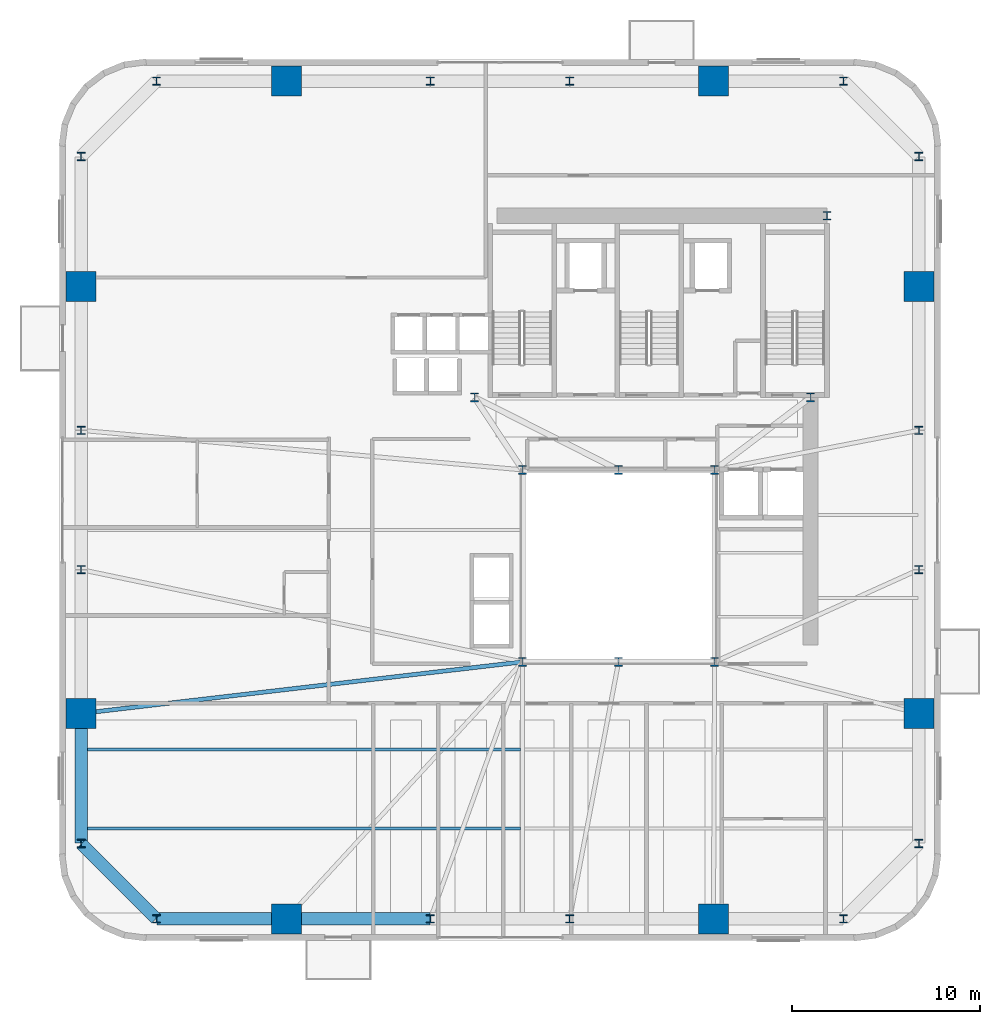
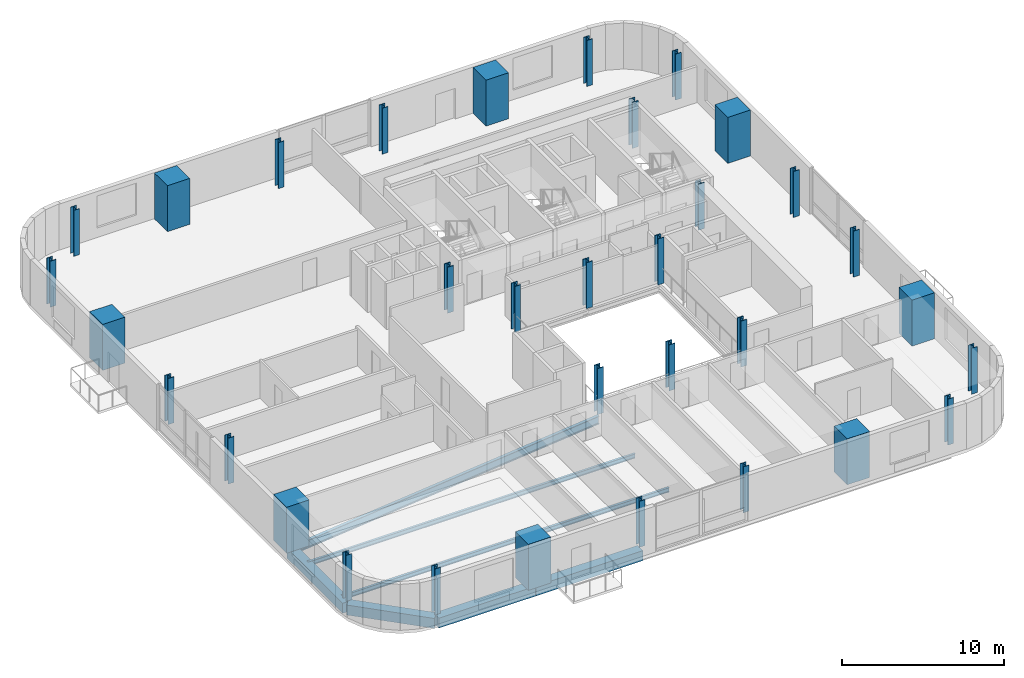
# One storey, part 1 of 14: 33 columns, 7 beams.
"""IFC4 building model written with IfcOpenShell, lengths in metres."""

from ifc_helpers import new_model, si_unit, direction, frame, origin, origin_2d, place, context, subcontext, project, spatial, rectangle, i_section, extrude, source, transform, mapped, material, material_profile, profile_set, type_object, element, save


model = new_model("IFC4")

# Units and contexts
model_context = context("Model", 3, precision=1e-05, world=origin(), true_north=direction((0.0, 1.0)))
body_context = subcontext(model_context, "Body", "Model", "MODEL_VIEW")
ifc_project = project(units=[si_unit("LENGTHUNIT", "METRE"), si_unit("AREAUNIT", "SQUARE_METRE"), si_unit("VOLUMEUNIT", "CUBIC_METRE"), si_unit("PLANEANGLEUNIT", "RADIAN"), si_unit("MASSUNIT", "GRAM", prefix="KILO")], contexts=[model_context])

# Site, building, storey
site_placement = place(None, origin())
site = spatial("IfcSite", under=ifc_project, at=site_placement, CompositionType="ELEMENT")
building_placement = place(site_placement, origin())
building = spatial("IfcBuilding", under=site, at=building_placement, Name="Vardaveli Station Tower", CompositionType="ELEMENT")
storey_placement = place(building_placement, frame((0.0, 0.0, 140.89990234375)))
storey = spatial("IfcBuildingStorey", under=building, at=storey_placement, Name="L36", CompositionType="ELEMENT", Elevation=140.89990234375)

# Columns
ifc_material_1 = material(Name="Structural steel S460M", Category="steel")
ifc_material_profile_1 = material_profile(ifc_material_1, i_section(OverallWidth=0.424072265625, OverallDepth=0.465087890625, WebThickness=0.034912109375, FlangeThickness=0.055908203125, FilletRadius=0.014892578125, at=origin_2d()), Name="HD 400x592")
ifc_profile_set_1 = profile_set([ifc_material_profile_1], Name="Structural steel S460M")
column_type_1 = type_object("IfcColumnType", Name="COL-HD592", PredefinedType="COLUMN", material=ifc_profile_set_1)
shared_shape_1 = source(origin(), body_context, "Body", "SweptSolid", [
    extrude(i_section(OverallWidth=0.424072265625, OverallDepth=0.465087890625, WebThickness=0.034912109375, FlangeThickness=0.055908203125, FilletRadius=0.014892578125, at=origin_2d()), origin(), (0.0, 0.0, 1.0), 3.460205078125),
])
for number, where, z_axis, x_axis, name in (
    (1, (31.199951171875, 16.60009765625, 0.0), (0.0, 0.0, 1.0), (1.0, 0.0, 0.0), "COL-L36-AC1"),
    (2, (36.300048828125, 16.60009765625, 0.0), (0.0, 0.0, 1.0), (1.0, 0.0, 0.0), "COL-L36-AC2"),
    (3, (41.39990234375, 16.60009765625, 0.0), (0.0, 0.0, 1.0), (1.0, 0.0, 0.0), "COL-L36-AC3"),
    (4, (41.39990234375, 26.800048828125, 0.0), (0.0, 0.0, 1.0), (1.0, 0.0, 0.0), "COL-L36-AC4"),
    (5, (36.300048828125, 26.800048828125, 0.0), (0.0, 0.0, 1.0), (1.0, 0.0, 0.0), "COL-L36-AC5"),
    (6, (31.199951171875, 26.800048828125, 0.0), (0.0, 0.0, 1.0), (1.0, 0.0, 0.0), "COL-L36-AC6"),
    (7, (28.64990234375, 30.64990234375, 0.0), (0.0, 0.0, 1.0), (1.0, 0.0, 0.0), "COL-L36-CC1"),
    (8, (46.5, 30.64990234375, 0.0), (0.0, 0.0, 1.0), (1.0, 0.0, 0.0), "COL-L36-CC2"),
    (9, (47.3701171875, 40.300048828125, 0.0), (0.0, 0.0, 1.0), (1.0, 0.0, 0.0), "COL-L36-CC3"),
):
    element("IfcColumn", number, at=place(storey_placement, frame(where, z_axis=z_axis, x_axis=x_axis)), inside=storey, type_object=column_type_1, Name=name, PredefinedType="COLUMN", context=body_context, shape_type="MappedRepresentation", body=[
        mapped(shared_shape_1, transform((0.0, 0.0, 0.0), scale=1.0)),
    ])
ifc_material_2 = material(Name="Concrete C60/75", Category="concrete")
ifc_material_profile_2 = material_profile(ifc_material_2, rectangle(XDim=1.60009765625, YDim=1.60009765625, at=origin_2d()), Name="MC 1600x1600")
ifc_profile_set_2 = profile_set([ifc_material_profile_2], Name="Concrete C60/75")
column_type_2 = type_object("IfcColumnType", Name="COL-MC-1600", PredefinedType="COLUMN", material=ifc_profile_set_2)
shared_shape_2 = source(origin(), body_context, "Body", "SweptSolid", [
    extrude(rectangle(XDim=1.60009765625, YDim=1.60009765625, at=origin_2d()), origin(), (0.0, 0.0, 1.0), 3.460205078125),
])
for number, where, z_axis, x_axis, name in (
    (10, (18.659912109375, 2.949951171875, 0.0), (0.0, 0.0, 1.0), (1.0, 0.0, 0.0), "COL-L36-MC1"),
    (11, (41.340087890625, 2.949951171875, 0.0), (0.0, 0.0, 1.0), (1.0, 0.0, 0.0), "COL-L36-MC2"),
    (12, (52.25, 13.860107421875, 0.0), (0.0, 0.0, 1.0), (1.0, 0.0, 0.0), "COL-L36-MC3"),
    (13, (52.25, 36.5400390625, 0.0), (0.0, 0.0, 1.0), (1.0, 0.0, 0.0), "COL-L36-MC4"),
    (14, (41.340087890625, 47.449951171875, 0.0), (0.0, 0.0, 1.0), (1.0, 0.0, 0.0), "COL-L36-MC5"),
    (15, (18.659912109375, 47.449951171875, 0.0), (0.0, 0.0, 1.0), (1.0, 0.0, 0.0), "COL-L36-MC6"),
    (16, (7.75, 36.5400390625, 0.0), (0.0, 0.0, 1.0), (1.0, 0.0, 0.0), "COL-L36-MC7"),
    (17, (7.75, 13.860107421875, 0.0), (0.0, 0.0, 1.0), (1.0, 0.0, 0.0), "COL-L36-MC8"),
):
    element("IfcColumn", number, at=place(storey_placement, frame(where, z_axis=z_axis, x_axis=x_axis)), inside=storey, type_object=column_type_2, Name=name, PredefinedType="COLUMN", context=body_context, shape_type="MappedRepresentation", body=[
        mapped(shared_shape_2, transform((0.0, 0.0, 0.0), scale=1.0)),
    ])
ifc_material_profile_3 = material_profile(ifc_material_1, i_section(OverallWidth=0.4140625, OverallDepth=0.431884765625, WebThickness=0.025634765625, FlangeThickness=0.0400390625, FilletRadius=0.014892578125, at=origin_2d()), Name="HD 400x421")
ifc_profile_set_3 = profile_set([ifc_material_profile_3], Name="Structural steel S460M")
column_type_3 = type_object("IfcColumnType", Name="COL-HD421", PredefinedType="COLUMN", material=ifc_profile_set_3)
shared_shape_3 = source(origin(), body_context, "Body", "SweptSolid", [
    extrude(i_section(OverallWidth=0.4140625, OverallDepth=0.431884765625, WebThickness=0.025634765625, FlangeThickness=0.0400390625, FilletRadius=0.014892578125, at=origin_2d()), origin(), (0.0, 0.0, 1.0), 3.460205078125),
])
for number, where, z_axis, x_axis, name in (
    (18, (11.75, 2.949951171875, 0.0), (0.0, 0.0, 1.0), (1.0, 0.0, 0.0), "COL-L36-PC01"),
    (19, (26.300048828125, 2.949951171875, 0.0), (0.0, 0.0, 1.0), (1.0, 0.0, 0.0), "COL-L36-PC02"),
    (20, (33.699951171875, 2.949951171875, 0.0), (0.0, 0.0, 1.0), (1.0, 0.0, 0.0), "COL-L36-PC03"),
    (21, (48.25, 2.949951171875, 0.0), (0.0, 0.0, 1.0), (1.0, 0.0, 0.0), "COL-L36-PC04"),
    (22, (52.25, 6.949951171875, 0.0), (0.0, 0.0, 1.0), (1.0, 0.0, 0.0), "COL-L36-PC05"),
    (23, (52.25, 21.5, 0.0), (0.0, 0.0, 1.0), (1.0, 0.0, 0.0), "COL-L36-PC06"),
    (24, (52.25, 28.89990234375, 0.0), (0.0, 0.0, 1.0), (1.0, 0.0, 0.0), "COL-L36-PC07"),
    (25, (52.25, 43.449951171875, 0.0), (0.0, 0.0, 1.0), (1.0, 0.0, 0.0), "COL-L36-PC08"),
    (26, (48.25, 47.449951171875, 0.0), (0.0, 0.0, 1.0), (1.0, 0.0, 0.0), "COL-L36-PC09"),
    (27, (33.699951171875, 47.449951171875, 0.0), (0.0, 0.0, 1.0), (1.0, 0.0, 0.0), "COL-L36-PC10"),
    (28, (26.300048828125, 47.449951171875, 0.0), (0.0, 0.0, 1.0), (1.0, 0.0, 0.0), "COL-L36-PC11"),
    (29, (11.75, 47.449951171875, 0.0), (0.0, 0.0, 1.0), (1.0, 0.0, 0.0), "COL-L36-PC12"),
    (30, (7.75, 43.449951171875, 0.0), (0.0, 0.0, 1.0), (1.0, 0.0, 0.0), "COL-L36-PC13"),
    (31, (7.75, 28.89990234375, 0.0), (0.0, 0.0, 1.0), (1.0, 0.0, 0.0), "COL-L36-PC14"),
    (32, (7.75, 21.5, 0.0), (0.0, 0.0, 1.0), (1.0, 0.0, 0.0), "COL-L36-PC15"),
    (33, (7.75, 6.949951171875, 0.0), (0.0, 0.0, 1.0), (1.0, 0.0, 0.0), "COL-L36-PC16"),
):
    element("IfcColumn", number, at=place(storey_placement, frame(where, z_axis=z_axis, x_axis=x_axis)), inside=storey, type_object=column_type_3, Name=name, PredefinedType="COLUMN", context=body_context, shape_type="MappedRepresentation", body=[
        mapped(shared_shape_3, transform((0.0, 0.0, 0.0), scale=1.0)),
    ])

# Beams
ifc_material_3 = material(Name="Precast concrete C45/55", Category="concrete")
ifc_material_profile_4 = material_profile(ifc_material_3, rectangle(XDim=0.64990234375, YDim=0.75, at=origin_2d()), Name="LPB 650x750")
ifc_profile_set_4 = profile_set([ifc_material_profile_4], Name="Precast concrete C45/55")
beam_type_1 = type_object("IfcBeamType", Name="BM-LPB-750", PredefinedType="BEAM", material=ifc_profile_set_4)
shared_shape_4 = source(origin(), body_context, "Body", "SweptSolid", [
    extrude(rectangle(XDim=0.64990234375, YDim=0.75, at=origin_2d()), origin(), (0.0, 0.0, 1.0), 7.60009765625),
])
beam_1_placement = place(storey_placement, frame((18.679931640625, 2.949951171875, -0.614990234375), z_axis=(1.0, 0.0, 0.0), x_axis=(0.0, 1.0, 0.0)))
element("IfcBeam", 34, at=beam_1_placement, inside=storey, type_object=beam_type_1, Name="RBM-L36-01", PredefinedType="BEAM", context=body_context, shape_type="MappedRepresentation", body=[
    mapped(shared_shape_4, transform((0.0, 0.0, 0.0), scale=1.0)),
])
shared_shape_5 = source(origin(), body_context, "Body", "SweptSolid", [
    extrude(rectangle(XDim=0.64990234375, YDim=0.75, at=origin_2d()), origin(), (0.0, 0.0, 1.0), 6.869873046875),
])
beam_2_placement = place(storey_placement, frame((11.77001953125, 2.949951171875, -0.614990234375), z_axis=(1.0, 0.0, 0.0), x_axis=(0.0, 1.0, 0.0)))
element("IfcBeam", 35, at=beam_2_placement, inside=storey, type_object=beam_type_1, Name="RBM-L36-24", PredefinedType="BEAM", context=body_context, shape_type="MappedRepresentation", body=[
    mapped(shared_shape_5, transform((0.0, 0.0, 0.0), scale=1.0)),
])
shared_shape_6 = source(origin(), body_context, "Body", "SweptSolid", [
    extrude(rectangle(XDim=0.64990234375, YDim=0.75, at=origin_2d()), origin(), (0.0, 0.0, 1.0), 5.61669921875),
])
beam_3_placement = place(storey_placement, frame((7.76416015625, 6.935791015625, -0.614990234375), z_axis=(0.707106781187, -0.707106781187, 0.0), x_axis=(0.707106781187, 0.707106781187, 0.0)))
element("IfcBeam", 36, at=beam_3_placement, inside=storey, type_object=beam_type_1, Name="RBM-L36-23", PredefinedType="BEAM", context=body_context, shape_type="MappedRepresentation", body=[
    mapped(shared_shape_6, transform((0.0, 0.0, 0.0), scale=1.0)),
])
shared_shape_7 = source(origin(), body_context, "Body", "SweptSolid", [
    extrude(rectangle(XDim=0.64990234375, YDim=0.75, at=origin_2d()), origin(), (0.0, 0.0, 1.0), 6.8701171875),
])
beam_4_placement = place(storey_placement, frame((7.75, 13.840087890625, -0.614990234375), z_axis=(0.0, -1.0, 0.0), x_axis=(1.0, 0.0, 0.0)))
element("IfcBeam", 37, at=beam_4_placement, inside=storey, type_object=beam_type_1, Name="RBM-L36-22", PredefinedType="BEAM", context=body_context, shape_type="MappedRepresentation", body=[
    mapped(shared_shape_7, transform((0.0, 0.0, 0.0), scale=1.0)),
])
ifc_material_4 = material(Name="Structural steel S355J2", Category="steel")
ifc_material_profile_5 = material_profile(ifc_material_4, i_section(OverallWidth=0.159912109375, OverallDepth=0.330078125, WebThickness=0.007568359375, FlangeThickness=0.011474609375, FilletRadius=0.01806640625, at=origin_2d()), Name="IPE 330")
ifc_profile_set_5 = profile_set([ifc_material_profile_5], Name="Structural steel S355J2")
beam_type_2 = type_object("IfcBeamType", Name="BM-IPE330", PredefinedType="JOIST", material=ifc_profile_set_5)
shared_shape_8 = source(origin(), body_context, "Body", "SweptSolid", [
    extrude(i_section(OverallWidth=0.159912109375, OverallDepth=0.330078125, WebThickness=0.007568359375, FlangeThickness=0.011474609375, FilletRadius=0.01806640625, at=origin_2d()), origin(), (0.0, 0.0, 1.0), 23.2978515625),
])
for number, where, z_axis, x_axis, name in (
    (38, (7.7900390625, 7.75, -0.40478515625), (1.0, 0.0, 0.0), (0.0, 1.0, 0.0), "SJ-L36-S01"),
    (39, (7.7900390625, 11.949951171875, -0.40478515625), (1.0, 0.0, 0.0), (0.0, 1.0, 0.0), "SJ-L36-S03"),
):
    element("IfcBeam", number, at=place(storey_placement, frame(where, z_axis=z_axis, x_axis=x_axis)), inside=storey, type_object=beam_type_2, Name=name, PredefinedType="JOIST", context=body_context, shape_type="MappedRepresentation", body=[
        mapped(shared_shape_8, transform((0.0, 0.0, 0.0), scale=1.0)),
    ])
ifc_material_profile_6 = material_profile(ifc_material_4, i_section(OverallWidth=0.219970703125, OverallDepth=0.60009765625, WebThickness=0.011962890625, FlangeThickness=0.01904296875, FilletRadius=0.02392578125, at=origin_2d()), Name="IPE 600")
ifc_profile_set_6 = profile_set([ifc_material_profile_6], Name="Structural steel S355J2")
beam_type_3 = type_object("IfcBeamType", Name="BM-IPE600", PredefinedType="BEAM", material=ifc_profile_set_6)
shared_shape_9 = source(origin(), body_context, "Body", "SweptSolid", [
    extrude(i_section(OverallWidth=0.219970703125, OverallDepth=0.60009765625, WebThickness=0.011962890625, FlangeThickness=0.01904296875, FilletRadius=0.02392578125, at=origin_2d()), origin(), (0.0, 0.0, 1.0), 23.569580078125),
])
beam_5_placement = place(storey_placement, frame((7.769775390625, 13.8623046875, -0.539794921875), z_axis=(0.993242915589, 0.11605391261, 0.0), x_axis=(-0.11605391261, 0.993242915589, 0.0)))
element("IfcBeam", 40, at=beam_5_placement, inside=storey, type_object=beam_type_3, Name="GBM-L36-10", PredefinedType="BEAM", context=body_context, shape_type="MappedRepresentation", body=[
    mapped(shared_shape_9, transform((0.0, 0.0, 0.0), scale=1.0)),
])

save(model, "model.ifc")
